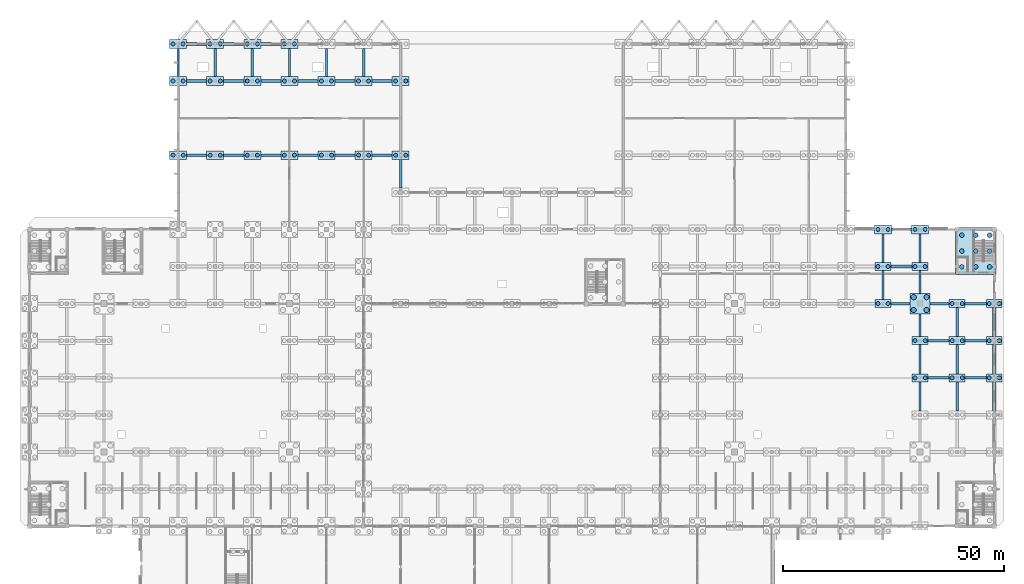
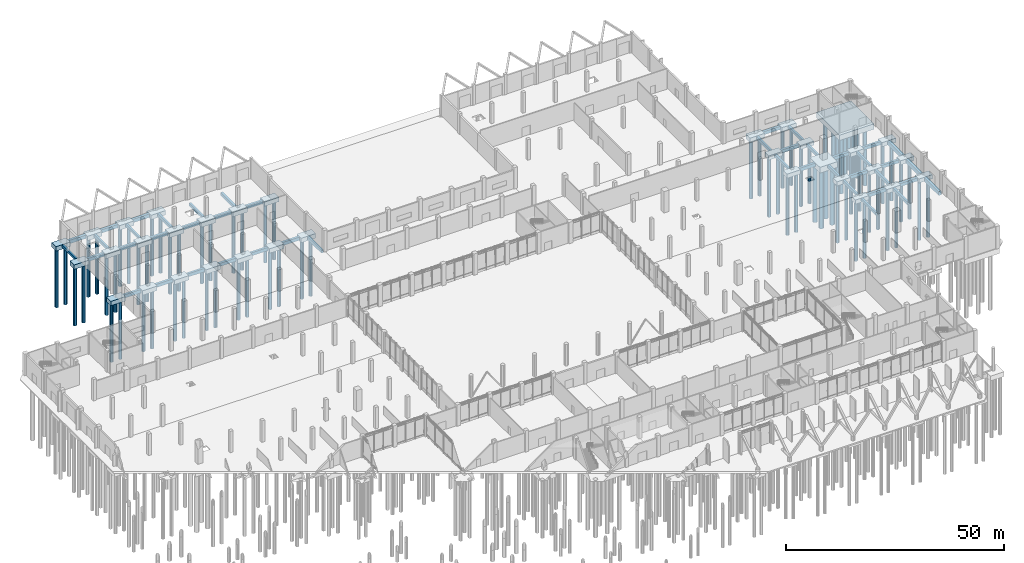
# One storey, part 11 of 72: 77 footings, 75 piles.
"""IFC4 building model written with IfcOpenShell, lengths in metres."""

import ifcopenshell
import ifcopenshell.guid

model = None  # the IFC model being written
_history = None  # IfcOwnerHistory: only IFC2X3 demands one
_inside = {}  # id of a spatial element -> (the spatial element, [elements in it])
_under = {}  # id of a project, library or spatial element -> (it, [spatial elements below it])
_declared = {}  # id of a project -> (the project, [libraries it declares])
_typed = {}  # id of a type object -> (the type object, [elements of that type])
_made_of = {}  # id of a material, layer set ... -> (it, [elements and type objects made of it])


def new_model(schema):
    """Start an empty IFC model of exactly this schema.

    Asked for "IFC4X3", IfcOpenShell would pick the latest addendum, in which some entities
    have other attributes; the version numbers below select the first issue.
    IFC2X3 requires an IfcOwnerHistory on every rooted entity: one is made here for all.
    """
    global model, _history
    if schema == "IFC4X3":
        model = ifcopenshell.file(schema_version=(4, 3, 0, 0))
    else:
        model = ifcopenshell.file(schema=schema)
    _inside.clear()
    _under.clear()
    _declared.clear()
    _typed.clear()
    _made_of.clear()
    _history = None
    if model.schema == "IFC2X3":
        org = make("IfcOrganization", Name="unknown")
        user = make(
            "IfcPersonAndOrganization",
            ThePerson=make("IfcPerson", FamilyName="unknown"),
            TheOrganization=org,
        )
        app = make(
            "IfcApplication",
            ApplicationDeveloper=org,
            Version="unknown",
            ApplicationFullName="unknown",
            ApplicationIdentifier="unknown",
        )
        _history = make(
            "IfcOwnerHistory",
            OwningUser=user,
            OwningApplication=app,
            ChangeAction="ADDED",
            CreationDate=0,
        )
    return model


def make(cls, **values):
    """One entity of the class cls with the attributes given. An attribute that is None is left unset."""
    return model.create_entity(
        cls, **{name: value for name, value in values.items() if value is not None}
    )


def rooted(cls, **values):
    """An entity with a GlobalId (a new one), such as an element, a storey or a relation."""
    return make(cls, GlobalId=ifcopenshell.guid.new(), OwnerHistory=_history, **values)


def si_unit(unit_type, name, prefix=None):
    """IfcSIUnit, for example si_unit("LENGTHUNIT", "METRE", prefix="MILLI")."""
    return make("IfcSIUnit", UnitType=unit_type, Prefix=prefix, Name=name)


def assignment(units):
    """IfcUnitAssignment: the units of a project."""
    return None if units is None else make("IfcUnitAssignment", Units=units)


def point(xyz):
    """IfcCartesianPoint."""
    return None if xyz is None else make("IfcCartesianPoint", Coordinates=xyz)


def direction(xyz):
    """IfcDirection."""
    return None if xyz is None else make("IfcDirection", DirectionRatios=xyz)


def frame(location, z_axis=None, x_axis=None):
    """IfcAxis2Placement3D, a coordinate frame: its origin and axes. An axis left out is left unset."""
    return make(
        "IfcAxis2Placement3D",
        Location=point(location),
        Axis=direction(z_axis),
        RefDirection=direction(x_axis),
    )


def frame_2d(location, x_axis=None):
    """IfcAxis2Placement2D, a coordinate frame in the plane: its origin and x axis."""
    return make(
        "IfcAxis2Placement2D", Location=point(location), RefDirection=direction(x_axis)
    )


def origin():
    """The frame at (0, 0, 0) with its axes left unset."""
    return frame((0.0, 0.0, 0.0))


def origin_2d():
    """The frame at (0, 0) in the plane with its x axis left unset."""
    return frame_2d((0.0, 0.0))


def place(relative_to, where):
    """IfcLocalPlacement: puts the frame where relative to a parent placement (None: the world)."""
    return make(
        "IfcLocalPlacement", PlacementRelTo=relative_to, RelativePlacement=where
    )


def context(
    kind, dimensions, precision=None, world=None, true_north=None, identifier=None
):
    """IfcGeometricRepresentationContext, for example the 3D "Model" context."""
    return make(
        "IfcGeometricRepresentationContext",
        ContextIdentifier=identifier,
        ContextType=kind,
        CoordinateSpaceDimension=dimensions,
        Precision=precision,
        WorldCoordinateSystem=world,
        TrueNorth=true_north,
    )


def subcontext(parent, identifier, kind, view, scale=None):
    """IfcGeometricRepresentationSubContext, for example "Body" below "Model"."""
    return make(
        "IfcGeometricRepresentationSubContext",
        ContextIdentifier=identifier,
        ContextType=kind,
        ParentContext=parent,
        TargetScale=scale,
        TargetView=view,
    )


def project(units=None, contexts=None):
    """IfcProject with its units and contexts."""
    return rooted(
        "IfcProject",
        Name="project",
        RepresentationContexts=contexts,
        UnitsInContext=assignment(units),
    )


def spatial(cls, under=None, at=None, **own):
    """A site, building, storey or space (cls), placed at a placement, below another one or the project."""
    s = rooted(cls, ObjectPlacement=at, **own)
    if under is not None:
        _under.setdefault(under.id(), (under, []))[1].append(s)
    return s


def profile(cls, at=None, kind="AREA", **sizes):
    """A parametric profile (cls). Its sizes go by their IFC names, for example OverallWidth=200.0."""
    return make(cls, ProfileType=kind, Position=at, **sizes)


def rectangle(**sizes):
    """IfcRectangleProfileDef."""
    return profile("IfcRectangleProfileDef", **sizes)


def circle(**sizes):
    """IfcCircleProfileDef."""
    return profile("IfcCircleProfileDef", **sizes)


def extrude(swept, where, along, depth):
    """IfcExtrudedAreaSolid: the profile swept, set in the frame where, extruded along a direction by depth."""
    return make(
        "IfcExtrudedAreaSolid",
        SweptArea=swept,
        Position=where,
        ExtrudedDirection=direction(along),
        Depth=depth,
    )


def shape(context_of_items, identifier, shape_type, items):
    """IfcShapeRepresentation: the items that make up one representation, for example the "Body"."""
    return make(
        "IfcShapeRepresentation",
        ContextOfItems=context_of_items,
        RepresentationIdentifier=identifier,
        RepresentationType=shape_type,
        Items=items,
    )


def material(Name=None, Category=None):
    """IfcMaterial."""
    return make("IfcMaterial", Name=Name, Category=Category)


def layer(
    of_material, thickness, ventilated=None, Name=None, Category=None, Priority=None
):
    """IfcMaterialLayer: one layer of a wall or slab, of a material (None: an air gap)."""
    return make(
        "IfcMaterialLayer",
        Material=of_material,
        LayerThickness=thickness,
        IsVentilated=ventilated,
        Name=Name,
        Category=Category,
        Priority=Priority,
    )


def layer_set(layers, Name=None):
    """IfcMaterialLayerSet."""
    return make("IfcMaterialLayerSet", MaterialLayers=layers, LayerSetName=Name)


def material_profile(
    of_material, cross_section, Name=None, Category=None, Priority=None
):
    """IfcMaterialProfile: a cross section and its material."""
    return make(
        "IfcMaterialProfile",
        Name=Name,
        Material=of_material,
        Profile=cross_section,
        Priority=Priority,
        Category=Category,
    )


def profile_set(profiles, Name=None, composite=None):
    """IfcMaterialProfileSet."""
    return make(
        "IfcMaterialProfileSet",
        Name=Name,
        MaterialProfiles=profiles,
        CompositeProfile=composite,
    )


def made_of(thing, what):
    """Note that an element or type object is made of a material, layer set ...; save() writes the relation."""
    if what is not None:
        _made_of.setdefault(what.id(), (what, []))[1].append(thing)
    return thing


def type_object(cls, material=None, **own):
    """A type object (cls), such as IfcWallType, which elements share."""
    return made_of(rooted(cls, **own), material)


def element(
    cls,
    number,
    at=None,
    inside=None,
    cuts=None,
    type_object=None,
    material=None,
    context=None,
    identifier="Body",
    shape_type=None,
    held_by="IfcProductDefinitionShape",
    body=None,
    shapes=None,
    **own,
):
    """One element of the class cls, such as IfcWall. Its Tag is "e" and its number.

    at: its placement. inside: the storey or other place that contains it. cuts: it is an
    opening in that element (IfcRelVoidsElement). A single representation is given by context,
    identifier, shape_type and body (its items); several are given by shapes. held_by: the class
    of the entity that holds the representations. save() writes the other relations.
    """
    e = rooted(cls, Tag="e%d" % number, ObjectPlacement=at, **own)
    if body is not None:
        shapes = [shape(context, identifier, shape_type, body)]
    if shapes is not None:
        e.Representation = make(held_by, Representations=shapes)
    if inside is not None:
        _inside.setdefault(inside.id(), (inside, []))[1].append(e)
    if cuts is not None:
        rooted(
            "IfcRelVoidsElement", RelatingBuildingElement=cuts, RelatedOpeningElement=e
        )
    if type_object is not None:
        _typed.setdefault(type_object.id(), (type_object, []))[1].append(e)
    return made_of(e, material)


def aggregate(whole, parts):
    """IfcRelAggregates: a whole, such as a stair, and the parts it consists of."""
    return rooted("IfcRelAggregates", RelatingObject=whole, RelatedObjects=parts)


def save(model, path):
    """Write the relations noted so far, then the file.

    IfcRelAggregates (storeys below a building ...), IfcRelContainedInSpatialStructure (elements
    in a storey), IfcRelDefinesByType, IfcRelAssociatesMaterial and IfcRelDeclares: one each for
    every whole, place, type object, material and project.
    """
    for whole, parts in _under.values():
        aggregate(whole, parts)
    for where, things in _inside.values():
        rooted(
            "IfcRelContainedInSpatialStructure",
            RelatedElements=things,
            RelatingStructure=where,
        )
    for kind, things in _typed.values():
        rooted("IfcRelDefinesByType", RelatedObjects=things, RelatingType=kind)
    for what, things in _made_of.values():
        rooted("IfcRelAssociatesMaterial", RelatedObjects=things, RelatingMaterial=what)
    for by, libraries in _declared.values():
        rooted("IfcRelDeclares", RelatingContext=by, RelatedDefinitions=libraries)
    model.write(path)


model = new_model("IFC4")

# Units and contexts
model_context = context("Model", 3, precision=1e-05, world=origin(), true_north=direction((0.0, 1.0)))
body_context = subcontext(model_context, "Body", "Model", "MODEL_VIEW")
ifc_project = project(units=[si_unit("LENGTHUNIT", "METRE"), si_unit("AREAUNIT", "SQUARE_METRE"), si_unit("VOLUMEUNIT", "CUBIC_METRE"), si_unit("PLANEANGLEUNIT", "RADIAN"), si_unit("MASSUNIT", "GRAM", prefix="KILO")], contexts=[model_context])

# Site, building, storey
site_placement = place(None, origin())
site = spatial("IfcSite", under=ifc_project, at=site_placement, CompositionType="ELEMENT")
building_placement = place(site_placement, origin())
building = spatial("IfcBuilding", under=site, at=building_placement, Name="Qawsi Khor Wholesale Market", CompositionType="ELEMENT")
storey_placement = place(building_placement, origin())
storey = spatial("IfcBuildingStorey", under=building, at=storey_placement, Name="L00", CompositionType="ELEMENT", Elevation=0.0)

# Piles
ifc_material = material(Name="Concrete C45/55", Category="concrete")
ifc_material_profile_1 = material_profile(ifc_material, circle(Radius=0.52490234375, at=origin_2d()), Name="PILE D1050")
ifc_profile_set_1 = profile_set([ifc_material_profile_1], Name="Concrete C45/55")
pile_type_1 = type_object("IfcPileType", Name="Bored Pile D1050 C45/55", PredefinedType="BORED", material=ifc_profile_set_1)
for number, where, z_axis, x_axis, name in (
    (1, (211.050048828125, 100.699951171875, -1.800048828125), (0.0, 0.0, -1.0), (1.0, 0.0, 0.0), "Core bored pile C12-01"),
    (2, (211.050048828125, 104.300048828125, -1.800048828125), (0.0, 0.0, -1.0), (1.0, 0.0, 0.0), "Core bored pile C12-02"),
    (3, (211.050048828125, 107.89990234375, -1.800048828125), (0.0, 0.0, -1.0), (1.0, 0.0, 0.0), "Core bored pile C12-03"),
    (4, (214.199951171875, 100.699951171875, -1.800048828125), (0.0, 0.0, -1.0), (1.0, 0.0, 0.0), "Core bored pile C12-04"),
    (5, (214.199951171875, 104.300048828125, -1.800048828125), (0.0, 0.0, -1.0), (1.0, 0.0, 0.0), "Core bored pile C12-05"),
    (6, (214.199951171875, 107.89990234375, -1.800048828125), (0.0, 0.0, -1.0), (1.0, 0.0, 0.0), "Core bored pile C12-06"),
    (7, (217.35009765625, 100.699951171875, -1.800048828125), (0.0, 0.0, -1.0), (1.0, 0.0, 0.0), "Core bored pile C12-07"),
    (8, (217.35009765625, 104.300048828125, -1.800048828125), (0.0, 0.0, -1.0), (1.0, 0.0, 0.0), "Core bored pile C12-08"),
    (9, (217.35009765625, 107.89990234375, -1.800048828125), (0.0, 0.0, -1.0), (1.0, 0.0, 0.0), "Core bored pile C12-09"),
):
    element("IfcPile", number, at=place(storey_placement, frame(where, z_axis=z_axis, x_axis=x_axis)), inside=storey, type_object=pile_type_1, Name=name, PredefinedType="BORED", context=body_context, shape_type="SweptSolid", body=[
        extrude(circle(Radius=0.52490234375, at=origin_2d()), origin(), (0.0, 0.0, 1.0), 16.199951171875),
    ])
ifc_material_profile_2 = material_profile(ifc_material, circle(Radius=0.60009765625, at=origin_2d()), Name="PILE D1200")
ifc_profile_set_2 = profile_set([ifc_material_profile_2], Name="Concrete C45/55")
pile_type_2 = type_object("IfcPileType", Name="Bored Pile D1200 C45/55", PredefinedType="BORED", material=ifc_profile_set_2)
for number, where, z_axis, x_axis, name in (
    (10, (200.14990234375, 90.949951171875, -1.93994140625), (0.0, 0.0, -1.0), (1.0, 0.0, 0.0), "Mega-column pile 24_+11-1"),
    (11, (203.050048828125, 90.949951171875, -1.93994140625), (0.0, 0.0, -1.0), (1.0, 0.0, 0.0), "Mega-column pile 24_+11-2"),
    (12, (200.14990234375, 93.85009765625, -1.93994140625), (0.0, 0.0, -1.0), (1.0, 0.0, 0.0), "Mega-column pile 24_+11-3"),
    (13, (203.050048828125, 93.85009765625, -1.93994140625), (0.0, 0.0, -1.0), (1.0, 0.0, 0.0), "Mega-column pile 24_+11-4"),
):
    element("IfcPile", number, at=place(storey_placement, frame(where, z_axis=z_axis, x_axis=x_axis)), inside=storey, type_object=pile_type_2, Name=name, PredefinedType="BORED", context=body_context, shape_type="SweptSolid", body=[
        extrude(circle(Radius=0.60009765625, at=origin_2d()), origin(), (0.0, 0.0, 1.0), 16.06005859375),
    ])
ifc_material_profile_3 = material_profile(ifc_material, circle(Radius=0.449951171875, at=origin_2d()), Name="PILE D900")
ifc_profile_set_3 = profile_set([ifc_material_profile_3], Name="Concrete C45/55")
pile_type_3 = type_object("IfcPileType", Name="Bored Pile D900 C45/55", PredefinedType="BORED", material=ifc_profile_set_3)
for number, where, z_axis, x_axis, name in (
    (14, (32.449951171875, 126.0, -1.5), (0.0, 0.0, -1.0), (1.0, 0.0, 0.0), "Bored pile 04_+15-1"),
    (15, (34.75, 126.0, -1.5), (0.0, 0.0, -1.0), (1.0, 0.0, 0.0), "Bored pile 04_+15-2"),
    (16, (32.449951171875, 142.800048828125, -1.5), (0.0, 0.0, -1.0), (1.0, 0.0, 0.0), "Bored pile 04_+17-1"),
    (17, (34.75, 142.800048828125, -1.5), (0.0, 0.0, -1.0), (1.0, 0.0, 0.0), "Bored pile 04_+17-2"),
    (18, (32.449951171875, 151.199951171875, -1.5), (0.0, 0.0, -1.0), (1.0, 0.0, 0.0), "Bored pile 04_+18-1"),
    (19, (34.75, 151.199951171875, -1.5), (0.0, 0.0, -1.0), (1.0, 0.0, 0.0), "Bored pile 04_+18-2"),
    (20, (40.85009765625, 126.0, -1.5), (0.0, 0.0, -1.0), (1.0, 0.0, 0.0), "Bored pile 05_+15-1"),
    (21, (43.14990234375, 126.0, -1.5), (0.0, 0.0, -1.0), (1.0, 0.0, 0.0), "Bored pile 05_+15-2"),
    (22, (40.85009765625, 142.800048828125, -1.5), (0.0, 0.0, -1.0), (1.0, 0.0, 0.0), "Bored pile 05_+17-1"),
    (23, (43.14990234375, 142.800048828125, -1.5), (0.0, 0.0, -1.0), (1.0, 0.0, 0.0), "Bored pile 05_+17-2"),
    (24, (40.85009765625, 151.199951171875, -1.5), (0.0, 0.0, -1.0), (1.0, 0.0, 0.0), "Bored pile 05_+18-1"),
    (25, (43.14990234375, 151.199951171875, -1.5), (0.0, 0.0, -1.0), (1.0, 0.0, 0.0), "Bored pile 05_+18-2"),
    (26, (49.25, 126.0, -1.5), (0.0, 0.0, -1.0), (1.0, 0.0, 0.0), "Bored pile 06_+15-1"),
    (27, (51.550048828125, 126.0, -1.5), (0.0, 0.0, -1.0), (1.0, 0.0, 0.0), "Bored pile 06_+15-2"),
    (28, (49.25, 142.800048828125, -1.5), (0.0, 0.0, -1.0), (1.0, 0.0, 0.0), "Bored pile 06_+17-1"),
    (29, (51.550048828125, 142.800048828125, -1.5), (0.0, 0.0, -1.0), (1.0, 0.0, 0.0), "Bored pile 06_+17-2"),
    (30, (49.25, 151.199951171875, -1.5), (0.0, 0.0, -1.0), (1.0, 0.0, 0.0), "Bored pile 06_+18-1"),
    (31, (51.550048828125, 151.199951171875, -1.5), (0.0, 0.0, -1.0), (1.0, 0.0, 0.0), "Bored pile 06_+18-2"),
    (32, (57.64990234375, 126.0, -1.5), (0.0, 0.0, -1.0), (1.0, 0.0, 0.0), "Bored pile 07_+15-1"),
    (33, (59.949951171875, 126.0, -1.5), (0.0, 0.0, -1.0), (1.0, 0.0, 0.0), "Bored pile 07_+15-2"),
    (34, (57.64990234375, 142.800048828125, -1.5), (0.0, 0.0, -1.0), (1.0, 0.0, 0.0), "Bored pile 07_+17-1"),
    (35, (59.949951171875, 142.800048828125, -1.5), (0.0, 0.0, -1.0), (1.0, 0.0, 0.0), "Bored pile 07_+17-2"),
    (36, (57.64990234375, 151.199951171875, -1.5), (0.0, 0.0, -1.0), (1.0, 0.0, 0.0), "Bored pile 07_+18-1"),
    (37, (59.949951171875, 151.199951171875, -1.5), (0.0, 0.0, -1.0), (1.0, 0.0, 0.0), "Bored pile 07_+18-2"),
    (38, (66.050048828125, 126.0, -1.5), (0.0, 0.0, -1.0), (1.0, 0.0, 0.0), "Bored pile 08_+15-1"),
    (39, (68.35009765625, 126.0, -1.5), (0.0, 0.0, -1.0), (1.0, 0.0, 0.0), "Bored pile 08_+15-2"),
    (40, (66.050048828125, 142.800048828125, -1.5), (0.0, 0.0, -1.0), (1.0, 0.0, 0.0), "Bored pile 08_+17-1"),
    (41, (68.35009765625, 142.800048828125, -1.5), (0.0, 0.0, -1.0), (1.0, 0.0, 0.0), "Bored pile 08_+17-2"),
    (42, (74.449951171875, 126.0, -1.5), (0.0, 0.0, -1.0), (1.0, 0.0, 0.0), "Bored pile 09_+15-1"),
    (43, (76.75, 126.0, -1.5), (0.0, 0.0, -1.0), (1.0, 0.0, 0.0), "Bored pile 09_+15-2"),
    (44, (74.449951171875, 142.800048828125, -1.5), (0.0, 0.0, -1.0), (1.0, 0.0, 0.0), "Bored pile 09_+17-1"),
    (45, (76.75, 142.800048828125, -1.5), (0.0, 0.0, -1.0), (1.0, 0.0, 0.0), "Bored pile 09_+17-2"),
    (46, (82.85009765625, 126.0, -1.5), (0.0, 0.0, -1.0), (1.0, 0.0, 0.0), "Bored pile 10_+15-1"),
    (47, (85.14990234375, 126.0, -1.5), (0.0, 0.0, -1.0), (1.0, 0.0, 0.0), "Bored pile 10_+15-2"),
    (48, (82.85009765625, 142.800048828125, -1.5), (0.0, 0.0, -1.0), (1.0, 0.0, 0.0), "Bored pile 10_+17-1"),
    (49, (85.14990234375, 142.800048828125, -1.5), (0.0, 0.0, -1.0), (1.0, 0.0, 0.0), "Bored pile 10_+17-2"),
    (50, (192.050048828125, 92.39990234375, -1.5), (0.0, 0.0, -1.0), (1.0, 0.0, 0.0), "Bored pile 23_+11-1"),
    (51, (194.35009765625, 92.39990234375, -1.5), (0.0, 0.0, -1.0), (1.0, 0.0, 0.0), "Bored pile 23_+11-2"),
    (52, (192.050048828125, 100.800048828125, -1.5), (0.0, 0.0, -1.0), (1.0, 0.0, 0.0), "Bored pile 23_+12-1"),
    (53, (194.35009765625, 100.800048828125, -1.5), (0.0, 0.0, -1.0), (1.0, 0.0, 0.0), "Bored pile 23_+12-2"),
    (54, (192.050048828125, 109.199951171875, -1.5), (0.0, 0.0, -1.0), (1.0, 0.0, 0.0), "Bored pile 23_+13-1"),
    (55, (194.35009765625, 109.199951171875, -1.5), (0.0, 0.0, -1.0), (1.0, 0.0, 0.0), "Bored pile 23_+13-2"),
    (56, (200.449951171875, 75.60009765625, -1.5), (0.0, 0.0, -1.0), (1.0, 0.0, 0.0), "Bored pile 24_+09-1"),
    (57, (202.75, 75.60009765625, -1.5), (0.0, 0.0, -1.0), (1.0, 0.0, 0.0), "Bored pile 24_+09-2"),
    (58, (200.449951171875, 84.0, -1.5), (0.0, 0.0, -1.0), (1.0, 0.0, 0.0), "Bored pile 24_+10-1"),
    (59, (202.75, 84.0, -1.5), (0.0, 0.0, -1.0), (1.0, 0.0, 0.0), "Bored pile 24_+10-2"),
    (60, (200.449951171875, 100.800048828125, -1.5), (0.0, 0.0, -1.0), (1.0, 0.0, 0.0), "Bored pile 24_+12-1"),
    (61, (202.75, 100.800048828125, -1.5), (0.0, 0.0, -1.0), (1.0, 0.0, 0.0), "Bored pile 24_+12-2"),
    (62, (200.449951171875, 109.199951171875, -1.5), (0.0, 0.0, -1.0), (1.0, 0.0, 0.0), "Bored pile 24_+13-1"),
    (63, (202.75, 109.199951171875, -1.5), (0.0, 0.0, -1.0), (1.0, 0.0, 0.0), "Bored pile 24_+13-2"),
    (64, (208.85009765625, 75.60009765625, -1.5), (0.0, 0.0, -1.0), (1.0, 0.0, 0.0), "Bored pile 25_+09-1"),
    (65, (211.14990234375, 75.60009765625, -1.5), (0.0, 0.0, -1.0), (1.0, 0.0, 0.0), "Bored pile 25_+09-2"),
    (66, (208.85009765625, 84.0, -1.5), (0.0, 0.0, -1.0), (1.0, 0.0, 0.0), "Bored pile 25_+10-1"),
    (67, (211.14990234375, 84.0, -1.5), (0.0, 0.0, -1.0), (1.0, 0.0, 0.0), "Bored pile 25_+10-2"),
    (68, (208.85009765625, 92.39990234375, -1.5), (0.0, 0.0, -1.0), (1.0, 0.0, 0.0), "Bored pile 25_+11-1"),
    (69, (211.14990234375, 92.39990234375, -1.5), (0.0, 0.0, -1.0), (1.0, 0.0, 0.0), "Bored pile 25_+11-2"),
    (70, (217.25, 75.60009765625, -1.5), (0.0, 0.0, -1.0), (1.0, 0.0, 0.0), "Bored pile 26_+09-1"),
    (71, (219.550048828125, 75.60009765625, -1.5), (0.0, 0.0, -1.0), (1.0, 0.0, 0.0), "Bored pile 26_+09-2"),
    (72, (217.25, 84.0, -1.5), (0.0, 0.0, -1.0), (1.0, 0.0, 0.0), "Bored pile 26_+10-1"),
    (73, (219.550048828125, 84.0, -1.5), (0.0, 0.0, -1.0), (1.0, 0.0, 0.0), "Bored pile 26_+10-2"),
    (74, (217.25, 92.39990234375, -1.5), (0.0, 0.0, -1.0), (1.0, 0.0, 0.0), "Bored pile 26_+11-1"),
    (75, (219.550048828125, 92.39990234375, -1.5), (0.0, 0.0, -1.0), (1.0, 0.0, 0.0), "Bored pile 26_+11-2"),
):
    element("IfcPile", number, at=place(storey_placement, frame(where, z_axis=z_axis, x_axis=x_axis)), inside=storey, type_object=pile_type_3, Name=name, PredefinedType="BORED", context=body_context, shape_type="SweptSolid", body=[
        extrude(circle(Radius=0.449951171875, at=origin_2d()), origin(), (0.0, 0.0, 1.0), 16.5),
    ])

# Footings
ifc_material_profile_4 = material_profile(ifc_material, rectangle(XDim=0.64990234375, YDim=0.949951171875, at=origin_2d()), Name="RC 650x950")
ifc_profile_set_4 = profile_set([ifc_material_profile_4], Name="Concrete C45/55")
footing_type_1 = type_object("IfcFootingType", Name="Cold-Store Strip Footing SF 650x950", PredefinedType="STRIP_FOOTING", material=ifc_profile_set_4)
for number, where, z_axis, x_axis, name in (
    (76, (35.52490234375, 151.199951171875, -0.864990234375), (1.0, 0.0, 0.0), (0.0, 1.0, 0.0), "Ground tie-beam X 4-5 at Y=151.2"),
    (77, (43.925048828125, 151.199951171875, -0.864990234375), (1.0, 0.0, 0.0), (0.0, 1.0, 0.0), "Ground tie-beam X 5-6 at Y=151.2"),
    (78, (52.324951171875, 151.199951171875, -0.864990234375), (1.0, 0.0, 0.0), (0.0, 1.0, 0.0), "Ground tie-beam X 6-7 at Y=151.2"),
):
    element("IfcFooting", number, at=place(storey_placement, frame(where, z_axis=z_axis, x_axis=x_axis)), inside=storey, type_object=footing_type_1, Name=name, PredefinedType="STRIP_FOOTING", context=body_context, shape_type="SweptSolid", body=[
        extrude(rectangle(XDim=0.64990234375, YDim=0.949951171875, at=origin_2d()), origin(), (0.0, 0.0, 1.0), 4.550048828125),
    ])
ifc_layer_1 = layer(ifc_material, 1.52001953125, Name="Concrete C45/55")
ifc_layer_set_1 = layer_set([ifc_layer_1], Name="Concrete C45/55")
footing_type_2 = type_object("IfcFootingType", Name="Core Pile Raft CR-9P 9200x10600x1520", PredefinedType="PILE_CAP", material=ifc_layer_set_1)
footing_1_placement = place(storey_placement, frame((214.199951171875, 104.300048828125, -1.880126953125), z_axis=(0.0, 0.0, 1.0), x_axis=(1.0, 0.0, 0.0)))
element("IfcFooting", 79, at=footing_1_placement, inside=storey, type_object=footing_type_2, Name="Core pile raft C12", PredefinedType="PILE_CAP", context=body_context, shape_type="SweptSolid", body=[
    extrude(rectangle(XDim=9.199951171875, YDim=10.60009765625, at=origin_2d()), origin(), (0.0, 0.0, 1.0), 1.52001953125),
])
ifc_material_profile_5 = material_profile(ifc_material, rectangle(XDim=0.60009765625, YDim=0.89990234375, at=origin_2d()), Name="RC 600x900")
ifc_profile_set_5 = profile_set([ifc_material_profile_5], Name="Concrete C45/55")
footing_type_3 = type_object("IfcFootingType", Name="Ground Tie-Beam GTB 600x900", PredefinedType="FOOTING_BEAM", material=ifc_profile_set_5)
for number, where, z_axis, x_axis, name in (
    (80, (35.52490234375, 126.0, -0.840087890625), (1.0, 0.0, 0.0), (0.0, 1.0, 0.0), "Ground tie-beam X 4-5 at Y=126.0"),
    (81, (35.52490234375, 142.800048828125, -0.840087890625), (1.0, 0.0, 0.0), (0.0, 1.0, 0.0), "Ground tie-beam X 4-5 at Y=142.8"),
    (82, (43.925048828125, 126.0, -0.840087890625), (1.0, 0.0, 0.0), (0.0, 1.0, 0.0), "Ground tie-beam X 5-6 at Y=126.0"),
    (83, (43.925048828125, 142.800048828125, -0.840087890625), (1.0, 0.0, 0.0), (0.0, 1.0, 0.0), "Ground tie-beam X 5-6 at Y=142.8"),
    (84, (52.324951171875, 126.0, -0.840087890625), (1.0, 0.0, 0.0), (0.0, 1.0, 0.0), "Ground tie-beam X 6-7 at Y=126.0"),
    (85, (52.324951171875, 142.800048828125, -0.840087890625), (1.0, 0.0, 0.0), (0.0, 1.0, 0.0), "Ground tie-beam X 6-7 at Y=142.8"),
):
    element("IfcFooting", number, at=place(storey_placement, frame(where, z_axis=z_axis, x_axis=x_axis)), inside=storey, type_object=footing_type_3, Name=name, PredefinedType="FOOTING_BEAM", context=body_context, shape_type="SweptSolid", body=[
        extrude(rectangle(XDim=0.60009765625, YDim=0.89990234375, at=origin_2d()), origin(), (0.0, 0.0, 1.0), 4.550048828125),
    ])
for number, where, z_axis, x_axis, name in (
    (86, (60.72509765625, 126.0, -0.840087890625), (1.0, 0.0, 0.0), (0.0, 1.0, 0.0), "Ground tie-beam X 7-8 at Y=126.0"),
    (87, (60.72509765625, 142.800048828125, -0.840087890625), (1.0, 0.0, 0.0), (0.0, 1.0, 0.0), "Ground tie-beam X 7-8 at Y=142.8"),
):
    element("IfcFooting", number, at=place(storey_placement, frame(where, z_axis=z_axis, x_axis=x_axis)), inside=storey, type_object=footing_type_3, Name=name, PredefinedType="FOOTING_BEAM", context=body_context, shape_type="SweptSolid", body=[
        extrude(rectangle(XDim=0.60009765625, YDim=0.89990234375, at=origin_2d()), origin(), (0.0, 0.0, 1.0), 4.5498046875),
    ])
for number, where, z_axis, x_axis, name in (
    (88, (69.125, 126.0, -0.840087890625), (1.0, 0.0, 0.0), (0.0, 1.0, 0.0), "Ground tie-beam X 8-9 at Y=126.0"),
    (89, (69.125, 142.800048828125, -0.840087890625), (1.0, 0.0, 0.0), (0.0, 1.0, 0.0), "Ground tie-beam X 8-9 at Y=142.8"),
    (90, (77.52490234375, 126.0, -0.840087890625), (1.0, 0.0, 0.0), (0.0, 1.0, 0.0), "Ground tie-beam X 9-10 at Y=126.0"),
    (91, (77.52490234375, 142.800048828125, -0.840087890625), (1.0, 0.0, 0.0), (0.0, 1.0, 0.0), "Ground tie-beam X 9-10 at Y=142.8"),
):
    element("IfcFooting", number, at=place(storey_placement, frame(where, z_axis=z_axis, x_axis=x_axis)), inside=storey, type_object=footing_type_3, Name=name, PredefinedType="FOOTING_BEAM", context=body_context, shape_type="SweptSolid", body=[
        extrude(rectangle(XDim=0.60009765625, YDim=0.89990234375, at=origin_2d()), origin(), (0.0, 0.0, 1.0), 4.550048828125),
    ])
footing_2_placement = place(storey_placement, frame((195.0, 92.39990234375, -0.840087890625), z_axis=(1.0, 0.0, 0.0), x_axis=(0.0, 1.0, 0.0)))
element("IfcFooting", 92, at=footing_2_placement, inside=storey, type_object=footing_type_3, Name="Ground tie-beam X 23-24 at Y=92.4", PredefinedType="FOOTING_BEAM", context=body_context, shape_type="SweptSolid", body=[
    extrude(rectangle(XDim=0.60009765625, YDim=0.89990234375, at=origin_2d()), origin(), (0.0, 0.0, 1.0), 4.300048828125),
])
footing_3_placement = place(storey_placement, frame((195.0, 100.800048828125, -0.840087890625), z_axis=(1.0, 0.0, 0.0), x_axis=(0.0, 1.0, 0.0)))
element("IfcFooting", 93, at=footing_3_placement, inside=storey, type_object=footing_type_3, Name="Ground tie-beam X 23-24 at Y=100.8", PredefinedType="FOOTING_BEAM", context=body_context, shape_type="SweptSolid", body=[
    extrude(rectangle(XDim=0.60009765625, YDim=0.89990234375, at=origin_2d()), origin(), (0.0, 0.0, 1.0), 4.800048828125),
])
footing_4_placement = place(storey_placement, frame((195.125, 109.199951171875, -0.840087890625), z_axis=(1.0, 0.0, 0.0), x_axis=(0.0, 1.0, 0.0)))
element("IfcFooting", 94, at=footing_4_placement, inside=storey, type_object=footing_type_3, Name="Ground tie-beam X 23-24 at Y=109.2", PredefinedType="FOOTING_BEAM", context=body_context, shape_type="SweptSolid", body=[
    extrude(rectangle(XDim=0.60009765625, YDim=0.89990234375, at=origin_2d()), origin(), (0.0, 0.0, 1.0), 4.550048828125),
])
for number, where, z_axis, x_axis, name in (
    (95, (203.39990234375, 75.60009765625, -0.840087890625), (1.0, 0.0, 0.0), (0.0, 1.0, 0.0), "Ground tie-beam X 24-25 at Y=75.6"),
    (96, (203.39990234375, 84.0, -0.840087890625), (1.0, 0.0, 0.0), (0.0, 1.0, 0.0), "Ground tie-beam X 24-25 at Y=84.0"),
):
    element("IfcFooting", number, at=place(storey_placement, frame(where, z_axis=z_axis, x_axis=x_axis)), inside=storey, type_object=footing_type_3, Name=name, PredefinedType="FOOTING_BEAM", context=body_context, shape_type="SweptSolid", body=[
        extrude(rectangle(XDim=0.60009765625, YDim=0.89990234375, at=origin_2d()), origin(), (0.0, 0.0, 1.0), 4.800048828125),
    ])
footing_5_placement = place(storey_placement, frame((203.89990234375, 92.39990234375, -0.840087890625), z_axis=(1.0, 0.0, 0.0), x_axis=(0.0, 1.0, 0.0)))
element("IfcFooting", 97, at=footing_5_placement, inside=storey, type_object=footing_type_3, Name="Ground tie-beam X 24-25 at Y=92.4", PredefinedType="FOOTING_BEAM", context=body_context, shape_type="SweptSolid", body=[
    extrude(rectangle(XDim=0.60009765625, YDim=0.89990234375, at=origin_2d()), origin(), (0.0, 0.0, 1.0), 4.300048828125),
])
for number, where, z_axis, x_axis, name in (
    (98, (211.800048828125, 75.60009765625, -0.840087890625), (1.0, 0.0, 0.0), (0.0, 1.0, 0.0), "Ground tie-beam X 25-26 at Y=75.6"),
    (99, (211.800048828125, 84.0, -0.840087890625), (1.0, 0.0, 0.0), (0.0, 1.0, 0.0), "Ground tie-beam X 25-26 at Y=84.0"),
    (100, (211.800048828125, 92.39990234375, -0.840087890625), (1.0, 0.0, 0.0), (0.0, 1.0, 0.0), "Ground tie-beam X 25-26 at Y=92.4"),
):
    element("IfcFooting", number, at=place(storey_placement, frame(where, z_axis=z_axis, x_axis=x_axis)), inside=storey, type_object=footing_type_3, Name=name, PredefinedType="FOOTING_BEAM", context=body_context, shape_type="SweptSolid", body=[
        extrude(rectangle(XDim=0.60009765625, YDim=0.89990234375, at=origin_2d()), origin(), (0.0, 0.0, 1.0), 4.800048828125),
    ])
ifc_material_profile_6 = material_profile(ifc_material, rectangle(XDim=0.5, YDim=0.800048828125, at=origin_2d()), Name="RC 500x800")
ifc_profile_set_6 = profile_set([ifc_material_profile_6], Name="Concrete C45/55")
footing_type_4 = type_object("IfcFootingType", Name="Hall Tie-Beam GTB 500x800", PredefinedType="FOOTING_BEAM", material=ifc_profile_set_6)
for number, where, z_axis, x_axis, name in (
    (101, (33.60009765625, 143.800048828125, -0.7900390625), (0.0, 1.0, 0.0), (-1.0, 0.0, 0.0), "Ground tie-beam Y 17-18 at X=33.6"),
    (102, (42.0, 143.800048828125, -0.7900390625), (0.0, 1.0, 0.0), (-1.0, 0.0, 0.0), "Ground tie-beam Y 17-18 at X=42.0"),
    (103, (50.39990234375, 143.800048828125, -0.7900390625), (0.0, 1.0, 0.0), (-1.0, 0.0, 0.0), "Ground tie-beam Y 17-18 at X=50.4"),
    (104, (58.800048828125, 143.800048828125, -0.7900390625), (0.0, 1.0, 0.0), (-1.0, 0.0, 0.0), "Ground tie-beam Y 17-18 at X=58.8"),
    (105, (67.199951171875, 143.800048828125, -0.7900390625), (0.0, 1.0, 0.0), (-1.0, 0.0, 0.0), "Ground tie-beam Y 17-18 at X=67.2"),
):
    element("IfcFooting", number, at=place(storey_placement, frame(where, z_axis=z_axis, x_axis=x_axis)), inside=storey, type_object=footing_type_4, Name=name, PredefinedType="FOOTING_BEAM", context=body_context, shape_type="SweptSolid", body=[
        extrude(rectangle(XDim=0.5, YDim=0.800048828125, at=origin_2d()), origin(), (0.0, 0.0, 1.0), 6.39990234375),
    ])
footing_6_placement = place(storey_placement, frame((193.199951171875, 93.300048828125, -0.7900390625), z_axis=(0.0, 1.0, 0.0), x_axis=(-1.0, 0.0, 0.0)))
element("IfcFooting", 106, at=footing_6_placement, inside=storey, type_object=footing_type_4, Name="Ground tie-beam Y 11-12 at X=193.2", PredefinedType="FOOTING_BEAM", context=body_context, shape_type="SweptSolid", body=[
    extrude(rectangle(XDim=0.5, YDim=0.800048828125, at=origin_2d()), origin(), (0.0, 0.0, 1.0), 6.599853515625),
])
footing_7_placement = place(storey_placement, frame((193.199951171875, 101.699951171875, -0.7900390625), z_axis=(0.0, 1.0, 0.0), x_axis=(-1.0, 0.0, 0.0)))
element("IfcFooting", 107, at=footing_7_placement, inside=storey, type_object=footing_type_4, Name="Ground tie-beam Y 12-13 at X=193.2", PredefinedType="FOOTING_BEAM", context=body_context, shape_type="SweptSolid", body=[
    extrude(rectangle(XDim=0.5, YDim=0.800048828125, at=origin_2d()), origin(), (0.0, 0.0, 1.0), 6.5),
])
footing_8_placement = place(storey_placement, frame((201.60009765625, 68.10009765625, -0.7900390625), z_axis=(0.0, 1.0, 0.0), x_axis=(-1.0, 0.0, 0.0)))
element("IfcFooting", 108, at=footing_8_placement, inside=storey, type_object=footing_type_4, Name="Ground tie-beam Y 8-9 at X=201.6", PredefinedType="FOOTING_BEAM", context=body_context, shape_type="SweptSolid", body=[
    extrude(rectangle(XDim=0.5, YDim=0.800048828125, at=origin_2d()), origin(), (0.0, 0.0, 1.0), 6.599853515625),
])
footing_9_placement = place(storey_placement, frame((201.60009765625, 76.5, -0.7900390625), z_axis=(0.0, 1.0, 0.0), x_axis=(-1.0, 0.0, 0.0)))
element("IfcFooting", 109, at=footing_9_placement, inside=storey, type_object=footing_type_4, Name="Ground tie-beam Y 9-10 at X=201.6", PredefinedType="FOOTING_BEAM", context=body_context, shape_type="SweptSolid", body=[
    extrude(rectangle(XDim=0.5, YDim=0.800048828125, at=origin_2d()), origin(), (0.0, 0.0, 1.0), 6.60009765625),
])
footing_10_placement = place(storey_placement, frame((201.60009765625, 84.89990234375, -0.7900390625), z_axis=(0.0, 1.0, 0.0), x_axis=(-1.0, 0.0, 0.0)))
element("IfcFooting", 110, at=footing_10_placement, inside=storey, type_object=footing_type_4, Name="Ground tie-beam Y 10-11 at X=201.6", PredefinedType="FOOTING_BEAM", context=body_context, shape_type="SweptSolid", body=[
    extrude(rectangle(XDim=0.5, YDim=0.800048828125, at=origin_2d()), origin(), (0.0, 0.0, 1.0), 5.2001953125),
])
footing_11_placement = place(storey_placement, frame((201.60009765625, 94.699951171875, -0.7900390625), z_axis=(0.0, 1.0, 0.0), x_axis=(-1.0, 0.0, 0.0)))
element("IfcFooting", 111, at=footing_11_placement, inside=storey, type_object=footing_type_4, Name="Ground tie-beam Y 11-12 at X=201.6", PredefinedType="FOOTING_BEAM", context=body_context, shape_type="SweptSolid", body=[
    extrude(rectangle(XDim=0.5, YDim=0.800048828125, at=origin_2d()), origin(), (0.0, 0.0, 1.0), 5.199951171875),
])
footing_12_placement = place(storey_placement, frame((201.60009765625, 101.699951171875, -0.7900390625), z_axis=(0.0, 1.0, 0.0), x_axis=(-1.0, 0.0, 0.0)))
element("IfcFooting", 112, at=footing_12_placement, inside=storey, type_object=footing_type_4, Name="Ground tie-beam Y 12-13 at X=201.6", PredefinedType="FOOTING_BEAM", context=body_context, shape_type="SweptSolid", body=[
    extrude(rectangle(XDim=0.5, YDim=0.800048828125, at=origin_2d()), origin(), (0.0, 0.0, 1.0), 6.5),
])
footing_13_placement = place(storey_placement, frame((210.0, 68.10009765625, -0.7900390625), z_axis=(0.0, 1.0, 0.0), x_axis=(-1.0, 0.0, 0.0)))
element("IfcFooting", 113, at=footing_13_placement, inside=storey, type_object=footing_type_4, Name="Ground tie-beam Y 8-9 at X=210.0", PredefinedType="FOOTING_BEAM", context=body_context, shape_type="SweptSolid", body=[
    extrude(rectangle(XDim=0.5, YDim=0.800048828125, at=origin_2d()), origin(), (0.0, 0.0, 1.0), 6.599853515625),
])
for number, where, z_axis, x_axis, name in (
    (114, (210.0, 76.5, -0.7900390625), (0.0, 1.0, 0.0), (-1.0, 0.0, 0.0), "Ground tie-beam Y 9-10 at X=210.0"),
    (115, (210.0, 84.89990234375, -0.7900390625), (0.0, 1.0, 0.0), (-1.0, 0.0, 0.0), "Ground tie-beam Y 10-11 at X=210.0"),
):
    element("IfcFooting", number, at=place(storey_placement, frame(where, z_axis=z_axis, x_axis=x_axis)), inside=storey, type_object=footing_type_4, Name=name, PredefinedType="FOOTING_BEAM", context=body_context, shape_type="SweptSolid", body=[
        extrude(rectangle(XDim=0.5, YDim=0.800048828125, at=origin_2d()), origin(), (0.0, 0.0, 1.0), 6.60009765625),
    ])
ifc_material_profile_7 = material_profile(ifc_material, rectangle(XDim=0.550048828125, YDim=0.85009765625, at=origin_2d()), Name="RC 550x850")
ifc_profile_set_7 = profile_set([ifc_material_profile_7], Name="Concrete C45/55")
footing_type_5 = type_object("IfcFootingType", Name="Internal Tie-Beam GTB 550x850", PredefinedType="FOOTING_BEAM", material=ifc_profile_set_7)
for number, where, z_axis, x_axis, name in (
    (116, (75.60009765625, 143.800048828125, -0.81494140625), (0.0, 1.0, 0.0), (-1.0, 0.0, 0.0), "Ground tie-beam Y 17-18 at X=75.6"),
    (117, (84.0, 118.60009765625, -0.81494140625), (0.0, 1.0, 0.0), (-1.0, 0.0, 0.0), "Ground tie-beam Y 14-15 at X=84.0"),
):
    element("IfcFooting", number, at=place(storey_placement, frame(where, z_axis=z_axis, x_axis=x_axis)), inside=storey, type_object=footing_type_5, Name=name, PredefinedType="FOOTING_BEAM", context=body_context, shape_type="SweptSolid", body=[
        extrude(rectangle(XDim=0.550048828125, YDim=0.85009765625, at=origin_2d()), origin(), (0.0, 0.0, 1.0), 6.39990234375),
    ])
ifc_layer_2 = layer(ifc_material, 1.64990234375, Name="Concrete C45/55")
ifc_layer_set_2 = layer_set([ifc_layer_2], Name="Concrete C45/55")
footing_type_6 = type_object("IfcFootingType", Name="Mega-Column Pile Cap PC-4M 4600x4600x1650", PredefinedType="PILE_CAP", material=ifc_layer_set_2)
footing_14_placement = place(storey_placement, frame((201.60009765625, 92.39990234375, -2.010009765625), z_axis=(0.0, 0.0, 1.0), x_axis=(1.0, 0.0, 0.0)))
element("IfcFooting", 118, at=footing_14_placement, inside=storey, type_object=footing_type_6, Name="Mega-column pile cap 24_+11", PredefinedType="PILE_CAP", context=body_context, shape_type="SweptSolid", body=[
    extrude(rectangle(XDim=4.60009765625, YDim=4.60009765625, at=origin_2d()), origin(), (0.0, 0.0, 1.0), 1.64990234375),
])
ifc_material_profile_8 = material_profile(ifc_material, rectangle(XDim=0.699951171875, YDim=1.10009765625, at=origin_2d()), Name="RC 700x1100")
ifc_profile_set_8 = profile_set([ifc_material_profile_8], Name="Concrete C45/55")
footing_type_7 = type_object("IfcFootingType", Name="Perimeter Strip Footing SF 700x1100", PredefinedType="STRIP_FOOTING", material=ifc_profile_set_8)
footing_15_placement = place(storey_placement, frame((218.39990234375, 68.10009765625, -0.93994140625), z_axis=(0.0, 1.0, 0.0), x_axis=(-1.0, 0.0, 0.0)))
element("IfcFooting", 119, at=footing_15_placement, inside=storey, type_object=footing_type_7, Name="Ground tie-beam Y 8-9 at X=218.4", PredefinedType="STRIP_FOOTING", context=body_context, shape_type="SweptSolid", body=[
    extrude(rectangle(XDim=0.699951171875, YDim=1.10009765625, at=origin_2d()), origin(), (0.0, 0.0, 1.0), 6.599853515625),
])
for number, where, z_axis, x_axis, name in (
    (120, (218.39990234375, 76.5, -0.93994140625), (0.0, 1.0, 0.0), (-1.0, 0.0, 0.0), "Ground tie-beam Y 9-10 at X=218.4"),
    (121, (218.39990234375, 84.89990234375, -0.93994140625), (0.0, 1.0, 0.0), (-1.0, 0.0, 0.0), "Ground tie-beam Y 10-11 at X=218.4"),
):
    element("IfcFooting", number, at=place(storey_placement, frame(where, z_axis=z_axis, x_axis=x_axis)), inside=storey, type_object=footing_type_7, Name=name, PredefinedType="STRIP_FOOTING", context=body_context, shape_type="SweptSolid", body=[
        extrude(rectangle(XDim=0.699951171875, YDim=1.10009765625, at=origin_2d()), origin(), (0.0, 0.0, 1.0), 6.60009765625),
    ])
ifc_layer_3 = layer(ifc_material, 1.25, Name="Concrete C45/55")
ifc_layer_set_3 = layer_set([ifc_layer_3], Name="Concrete C45/55")
footing_type_8 = type_object("IfcFootingType", Name="Pile Cap PC-2H 3850x2000x1250", PredefinedType="PILE_CAP", material=ifc_layer_set_3)
for number, where, z_axis, x_axis, name in (
    (122, (33.60009765625, 126.0, -1.610107421875), (0.0, 0.0, 1.0), (1.0, 0.0, 0.0), "Two-pile cap 04_+15"),
    (123, (33.60009765625, 142.800048828125, -1.610107421875), (0.0, 0.0, 1.0), (1.0, 0.0, 0.0), "Two-pile cap 04_+17"),
    (124, (33.60009765625, 151.199951171875, -1.610107421875), (0.0, 0.0, 1.0), (1.0, 0.0, 0.0), "Two-pile cap 04_+18"),
    (125, (42.0, 126.0, -1.610107421875), (0.0, 0.0, 1.0), (1.0, 0.0, 0.0), "Two-pile cap 05_+15"),
    (126, (42.0, 142.800048828125, -1.610107421875), (0.0, 0.0, 1.0), (1.0, 0.0, 0.0), "Two-pile cap 05_+17"),
    (127, (42.0, 151.199951171875, -1.610107421875), (0.0, 0.0, 1.0), (1.0, 0.0, 0.0), "Two-pile cap 05_+18"),
    (128, (50.39990234375, 126.0, -1.610107421875), (0.0, 0.0, 1.0), (1.0, 0.0, 0.0), "Two-pile cap 06_+15"),
    (129, (50.39990234375, 142.800048828125, -1.610107421875), (0.0, 0.0, 1.0), (1.0, 0.0, 0.0), "Two-pile cap 06_+17"),
    (130, (50.39990234375, 151.199951171875, -1.610107421875), (0.0, 0.0, 1.0), (1.0, 0.0, 0.0), "Two-pile cap 06_+18"),
    (131, (58.800048828125, 126.0, -1.610107421875), (0.0, 0.0, 1.0), (1.0, 0.0, 0.0), "Two-pile cap 07_+15"),
    (132, (58.800048828125, 142.800048828125, -1.610107421875), (0.0, 0.0, 1.0), (1.0, 0.0, 0.0), "Two-pile cap 07_+17"),
    (133, (58.800048828125, 151.199951171875, -1.610107421875), (0.0, 0.0, 1.0), (1.0, 0.0, 0.0), "Two-pile cap 07_+18"),
    (134, (67.199951171875, 126.0, -1.610107421875), (0.0, 0.0, 1.0), (1.0, 0.0, 0.0), "Two-pile cap 08_+15"),
    (135, (67.199951171875, 142.800048828125, -1.610107421875), (0.0, 0.0, 1.0), (1.0, 0.0, 0.0), "Two-pile cap 08_+17"),
    (136, (75.60009765625, 126.0, -1.610107421875), (0.0, 0.0, 1.0), (1.0, 0.0, 0.0), "Two-pile cap 09_+15"),
    (137, (75.60009765625, 142.800048828125, -1.610107421875), (0.0, 0.0, 1.0), (1.0, 0.0, 0.0), "Two-pile cap 09_+17"),
    (138, (84.0, 126.0, -1.610107421875), (0.0, 0.0, 1.0), (1.0, 0.0, 0.0), "Two-pile cap 10_+15"),
    (139, (84.0, 142.800048828125, -1.610107421875), (0.0, 0.0, 1.0), (1.0, 0.0, 0.0), "Two-pile cap 10_+17"),
    (140, (193.199951171875, 109.199951171875, -1.610107421875), (0.0, 0.0, 1.0), (1.0, 0.0, 0.0), "Two-pile cap 23_+13"),
    (141, (201.60009765625, 109.199951171875, -1.610107421875), (0.0, 0.0, 1.0), (1.0, 0.0, 0.0), "Two-pile cap 24_+13"),
):
    element("IfcFooting", number, at=place(storey_placement, frame(where, z_axis=z_axis, x_axis=x_axis)), inside=storey, type_object=footing_type_8, Name=name, PredefinedType="PILE_CAP", context=body_context, shape_type="SweptSolid", body=[
        extrude(rectangle(XDim=3.85009765625, YDim=2.0, at=origin_2d()), origin(), (0.0, 0.0, 1.0), 1.25),
    ])
ifc_layer_4 = layer(ifc_material, 1.14990234375, Name="Concrete C45/55")
ifc_layer_set_4 = layer_set([ifc_layer_4], Name="Concrete C45/55")
footing_type_9 = type_object("IfcFootingType", Name="Pile Cap PC-2P 3600x1800x1150", PredefinedType="PILE_CAP", material=ifc_layer_set_4)
for number, where, z_axis, x_axis, name in (
    (142, (193.199951171875, 92.39990234375, -1.510009765625), (0.0, 0.0, 1.0), (1.0, 0.0, 0.0), "Two-pile cap 23_+11"),
    (143, (193.199951171875, 100.800048828125, -1.510009765625), (0.0, 0.0, 1.0), (1.0, 0.0, 0.0), "Two-pile cap 23_+12"),
    (144, (201.60009765625, 75.60009765625, -1.510009765625), (0.0, 0.0, 1.0), (1.0, 0.0, 0.0), "Two-pile cap 24_+09"),
    (145, (201.60009765625, 84.0, -1.510009765625), (0.0, 0.0, 1.0), (1.0, 0.0, 0.0), "Two-pile cap 24_+10"),
    (146, (201.60009765625, 100.800048828125, -1.510009765625), (0.0, 0.0, 1.0), (1.0, 0.0, 0.0), "Two-pile cap 24_+12"),
    (147, (210.0, 75.60009765625, -1.510009765625), (0.0, 0.0, 1.0), (1.0, 0.0, 0.0), "Two-pile cap 25_+09"),
    (148, (210.0, 84.0, -1.510009765625), (0.0, 0.0, 1.0), (1.0, 0.0, 0.0), "Two-pile cap 25_+10"),
    (149, (210.0, 92.39990234375, -1.510009765625), (0.0, 0.0, 1.0), (1.0, 0.0, 0.0), "Two-pile cap 25_+11"),
    (150, (218.39990234375, 75.60009765625, -1.510009765625), (0.0, 0.0, 1.0), (1.0, 0.0, 0.0), "Two-pile cap 26_+09"),
    (151, (218.39990234375, 84.0, -1.510009765625), (0.0, 0.0, 1.0), (1.0, 0.0, 0.0), "Two-pile cap 26_+10"),
    (152, (218.39990234375, 92.39990234375, -1.510009765625), (0.0, 0.0, 1.0), (1.0, 0.0, 0.0), "Two-pile cap 26_+11"),
):
    element("IfcFooting", number, at=place(storey_placement, frame(where, z_axis=z_axis, x_axis=x_axis)), inside=storey, type_object=footing_type_9, Name=name, PredefinedType="PILE_CAP", context=body_context, shape_type="SweptSolid", body=[
        extrude(rectangle(XDim=3.60009765625, YDim=1.800048828125, at=origin_2d()), origin(), (0.0, 0.0, 1.0), 1.14990234375),
    ])

save(model, "model.ifc")
